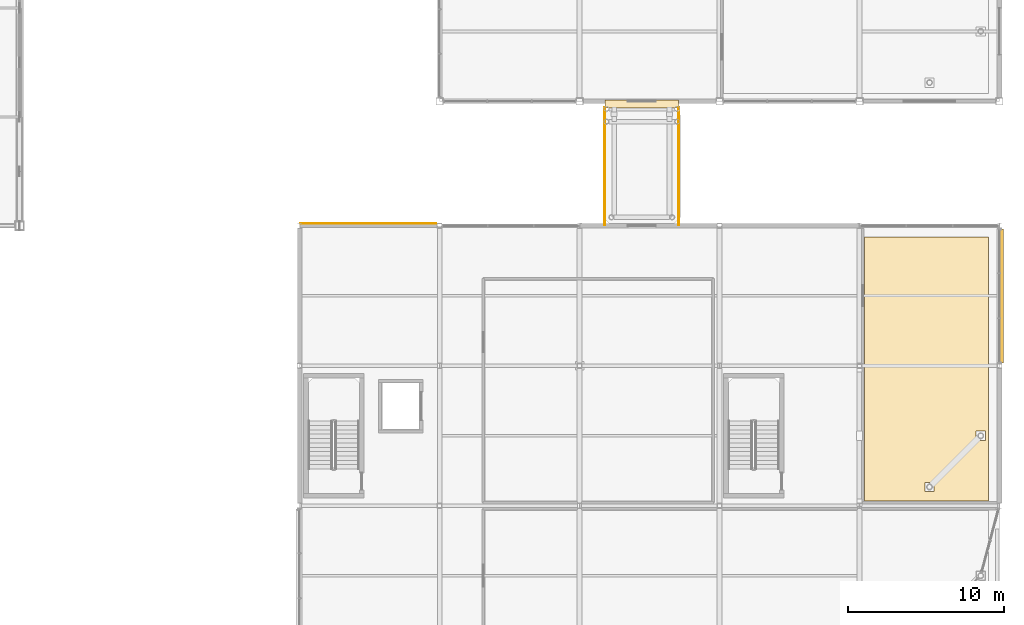
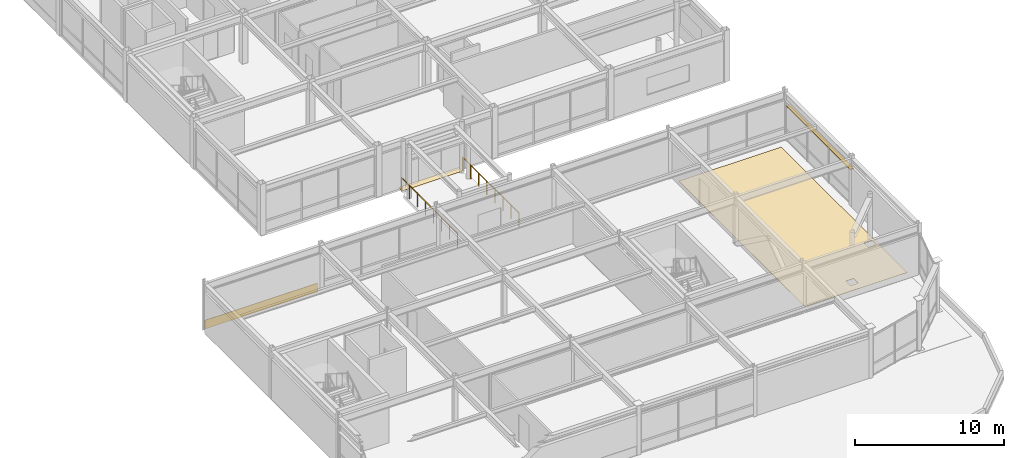
# One storey, part 104 of 108: 3 coverings, 2 railings, 1 shading device.
"""IFC4 building model written with IfcOpenShell, lengths in metres."""

from ifc_helpers import new_model, si_unit, direction, frame, origin, origin_2d, place, context, subcontext, project, spatial, polyline, rectangle, circle, outline, extrude, material, layer, layer_set, material_profile, profile_set, type_object, element, save


model = new_model("IFC4")

# Units and contexts
model_context = context("Model", 3, precision=1e-05, world=origin(), true_north=direction((0.0, 1.0)))
body_context = subcontext(model_context, "Body", "Model", "MODEL_VIEW")
ifc_project = project(units=[si_unit("LENGTHUNIT", "METRE"), si_unit("AREAUNIT", "SQUARE_METRE"), si_unit("VOLUMEUNIT", "CUBIC_METRE"), si_unit("PLANEANGLEUNIT", "RADIAN"), si_unit("MASSUNIT", "GRAM", prefix="KILO")], contexts=[model_context])

# Site, building, storey
site_placement = place(None, origin())
site = spatial("IfcSite", under=ifc_project, at=site_placement, CompositionType="ELEMENT")
building_placement = place(site_placement, origin())
building = spatial("IfcBuilding", under=site, at=building_placement, Name="Suzunagisa Mobility Hub", CompositionType="ELEMENT")
storey_placement = place(building_placement, frame((0.0, 0.0, 9.300048828125)))
storey = spatial("IfcBuildingStorey", under=building, at=storey_placement, Name="L02", CompositionType="ELEMENT", Elevation=9.300048828125)

# Coverings
ifc_material_1 = material(Name="Polished Aggregate Terrazzo Finish")
ifc_layer_1 = layer(ifc_material_1, 0.02001953125)
ifc_layer_set_1 = layer_set([ifc_layer_1], Name="Polished Aggregate Terrazzo Finish")
covering_type_1 = type_object("IfcCoveringType", Name="Polished Terrazzo Heavy-Traffic Flooring FLR-01", PredefinedType="FLOORING", material=ifc_layer_set_1)
covering_1_placement = place(storey_placement, origin())
element("IfcCovering", 1, at=covering_1_placement, inside=storey, type_object=covering_type_1, Name="L02 East Fleet Telemetry Calibration Bay L02 Terrazzo Flooring", PredefinedType="FLOORING", context=body_context, shape_type="SweptSolid", body=[
    extrude(outline(polyline([(171.320068359375, 18.320068359375), (171.320068359375, 35.280029296875), (179.280029296875, 35.280029296875), (179.280029296875, 18.320068359375), (171.320068359375, 18.320068359375)]), holes=[polyline([(175.7978515625, 19.503662109375), (175.2021484375, 19.503662109375), (175.2021484375, 18.907958984375), (175.7978515625, 18.907958984375), (175.7978515625, 19.503662109375)]), polyline([(179.092041015625, 22.2021484375), (179.092041015625, 22.7978515625), (178.496337890625, 22.7978515625), (178.496337890625, 22.2021484375), (179.092041015625, 22.2021484375)])]), origin(), (0.0, 0.0, 1.0), 0.02001953125),
])
covering_2_placement = place(storey_placement, frame((0.0, 0.0, -0.02001953125)))
element("IfcCovering", 2, at=covering_2_placement, inside=storey, type_object=covering_type_1, Name="L02 Flush Hinged Seismic Threshold Plate SB-04", PredefinedType="FLOORING", context=body_context, shape_type="SweptSolid", body=[
    extrude(outline(polyline([(154.64990234375, 43.570068359375), (159.35009765625, 43.570068359375), (159.35009765625, 44.080078125), (154.64990234375, 44.080078125), (154.64990234375, 43.570068359375)])), origin(), (0.0, 0.0, 1.0), 0.02001953125),
])
ifc_material_2 = material(Name="Vitreous Porcelain Enamel Aluminum Cladding", Category="aluminium")
ifc_layer_2 = layer(ifc_material_2, 0.034912109375)
ifc_layer_set_2 = layer_set([ifc_layer_2], Name="Vitreous Porcelain Enamel Aluminum Cladding")
covering_type_2 = type_object("IfcCoveringType", Name="Porcelain Enamel Spandrel Cladding Band CLD-01", PredefinedType="CLADDING", material=ifc_layer_set_2)
covering_3_placement = place(storey_placement, frame((139.42724609375, 36.137451171875, 0.06005859375), z_axis=(0.0, 0.0, 1.0), x_axis=(-1.0, 0.0, 0.0)))
element("IfcCovering", 3, at=covering_3_placement, inside=storey, type_object=covering_type_2, Name="L02 Porcelain Spandrel Cladding Band CLD-35", PredefinedType="CLADDING", context=body_context, shape_type="SweptSolid", body=[
    extrude(rectangle(XDim=8.74560546875, YDim=0.034912109375, at=origin_2d()), origin(), (0.0, 0.0, 1.0), 0.719970703125),
])

# Shading device
ifc_material_3 = material(Name="Fluoropolymer-Coated Extruded Aluminum 6063-T5", Category="aluminium")
ifc_material_profile = material_profile(ifc_material_3, rectangle(XDim=0.280029296875, YDim=0.044921875, at=origin_2d()), Name="FIN-280x45")
ifc_profile_set = profile_set([ifc_material_profile], Name="Fluoropolymer-Coated Extruded Aluminum 6063-T5")
shading_device_type = type_object("IfcShadingDeviceType", Name="Streamline Aluminum Sunshade SF-03 FIN-280x45", PredefinedType="USERDEFINED", material=ifc_profile_set)
shading_device_placement = place(storey_placement, frame((180.107421875, 27.179931640625, 2.83984375), z_axis=(0.0, 1.0, 0.0), x_axis=(-1.0, 0.0, 0.0)))
element("IfcShadingDevice", 4, at=shading_device_placement, inside=storey, type_object=shading_device_type, Name="L02 Streamline Speed-Rail Sunshade Fin SF-33", ObjectType="SUNSHADE FIN", PredefinedType="USERDEFINED", context=body_context, shape_type="SweptSolid", body=[
    extrude(rectangle(XDim=0.280029296875, YDim=0.044921875, at=origin_2d()), origin(), (0.0, 0.0, 1.0), 8.6201171875),
])

# Railings
ifc_material_4 = material(Name="Anodized Aluminum and Stainless Steel SUS316", Category="metal")
railing_type = type_object("IfcRailingType", Name="Streamline Ship-Deck Tubular Balustrade BL-01", PredefinedType="BALUSTRADE", material=ifc_material_4)
for number, where, name in (
    (5, (154.6201171875, 36.050048828125, 0.0), "L02 Bridge Edge Guardrail SB-04-65"),
    (6, (159.3798828125, 36.050048828125, 0.0), "L02 Bridge Edge Guardrail SB-04-66"),
):
    element("IfcRailing", number, at=place(storey_placement, frame(where)), inside=storey, type_object=railing_type, Name=name, PredefinedType="BALUSTRADE", context=body_context, shape_type="SweptSolid", body=[
        extrude(circle(Radius=0.02392578125, at=origin_2d()), frame((0.0, 0.0, 1.11572265625), z_axis=(0.0, 1.0, 0.0), x_axis=(-1.0, 0.0, 0.0)), (0.0, 0.0, 1.0), 7.550048828125),
        extrude(circle(Radius=0.02099609375, at=origin_2d()), origin(), (0.0, 0.0, 1.0), 1.091796875),
        extrude(circle(Radius=0.02099609375, at=origin_2d()), frame((0.0, 1.07861328125, 0.0)), (0.0, 0.0, 1.0), 1.091796875),
        extrude(circle(Radius=0.02099609375, at=origin_2d()), frame((0.0, 2.1572265625, 0.0)), (0.0, 0.0, 1.0), 1.091796875),
        extrude(circle(Radius=0.02099609375, at=origin_2d()), frame((0.0, 3.23583984375, 0.0)), (0.0, 0.0, 1.0), 1.091796875),
        extrude(circle(Radius=0.02099609375, at=origin_2d()), frame((0.0, 4.314208984375, 0.0)), (0.0, 0.0, 1.0), 1.091796875),
        extrude(circle(Radius=0.02099609375, at=origin_2d()), frame((0.0, 5.392822265625, 0.0)), (0.0, 0.0, 1.0), 1.091796875),
        extrude(circle(Radius=0.02099609375, at=origin_2d()), frame((0.0, 6.471435546875, 0.0)), (0.0, 0.0, 1.0), 1.091796875),
        extrude(circle(Radius=0.02099609375, at=origin_2d()), frame((0.0, 7.550048828125, 0.0)), (0.0, 0.0, 1.0), 1.091796875),
    ])

save(model, "model.ifc")
